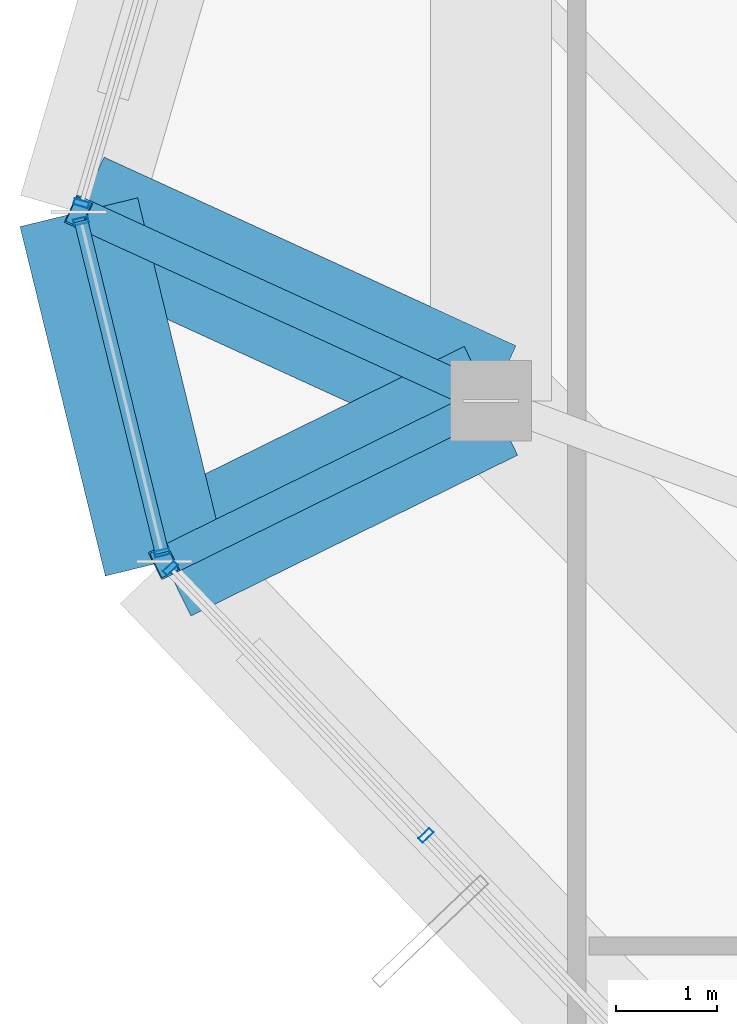
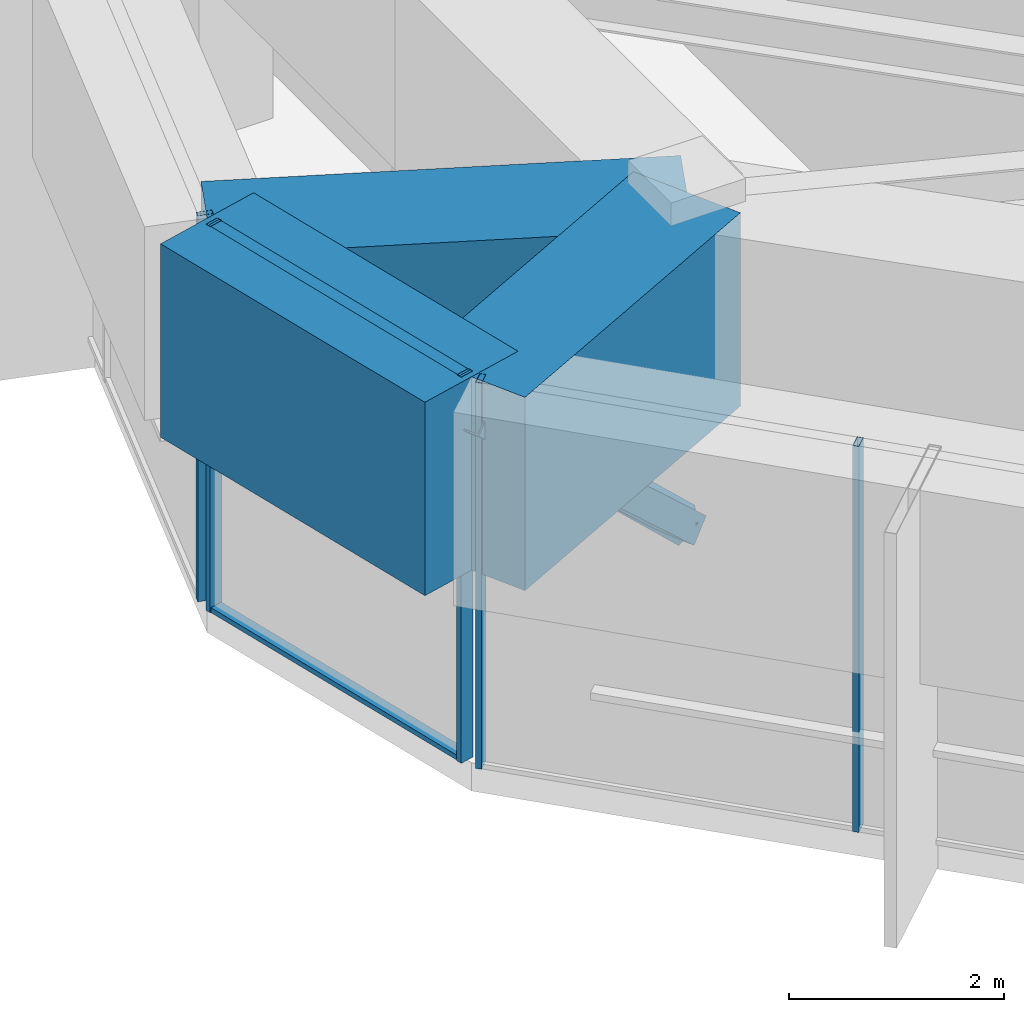
# One storey, part 6 of 39: 9 members, 3 beams, 3 elements without a shape of their own.
"""IFC4 building model written with IfcOpenShell, lengths in metres."""

from ifc_helpers import new_model, si_unit, direction, frame, origin, origin_2d, place, context, subcontext, project, spatial, rectangle, hollow_rectangle, extrude, source, transform, mapped, material, layer, layer_set, material_profile, profile_set, type_object, element, aggregate, save


model = new_model("IFC4")

# Units and contexts
model_context = context("Model", 3, precision=1e-05, world=origin(), true_north=direction((0.0, 1.0)))
body_context = subcontext(model_context, "Body", "Model", "MODEL_VIEW")
ifc_project = project(units=[si_unit("LENGTHUNIT", "METRE"), si_unit("AREAUNIT", "SQUARE_METRE"), si_unit("VOLUMEUNIT", "CUBIC_METRE"), si_unit("PLANEANGLEUNIT", "RADIAN"), si_unit("MASSUNIT", "GRAM", prefix="KILO")], contexts=[model_context])

# Site, building, storey
site_placement = place(None, origin())
site = spatial("IfcSite", under=ifc_project, at=site_placement, CompositionType="ELEMENT")
building_placement = place(site_placement, origin())
building = spatial("IfcBuilding", under=site, at=building_placement, Name="Veraguas Prism Commons", CompositionType="ELEMENT")
storey_placement = place(building_placement, frame((0.0, 0.0, 264.25)))
storey = spatial("IfcBuildingStorey", under=building, at=storey_placement, Name="L75", CompositionType="ELEMENT", Elevation=264.25)

# Beams
ifc_material_1 = material(Name="Concrete C50/60", Category="concrete")
ifc_material_profile_1 = material_profile(ifc_material_1, rectangle(XDim=1.199951171875, YDim=2.199951171875, at=origin_2d()), Name="RC1200X2200")
ifc_profile_set_1 = profile_set([ifc_material_profile_1], Name="Concrete C50/60")
beam_type = type_object("IfcBeamType", Name="Podium Transfer Girder RC 1200x2200", PredefinedType="BEAM", material=ifc_profile_set_1)
beam_1_placement = place(storey_placement, frame((10.199951171875, 19.60009765625, 3.2900390625), z_axis=(-0.909290456172, 0.416162067367, 0.0), x_axis=(-0.416162067367, -0.909290456172, 0.0)))
element("IfcBeam", 1, at=beam_1_placement, inside=storey, type_object=beam_type, Name="Crown Rib Support Girder L75-07", PredefinedType="BEAM", context=body_context, shape_type="SweptSolid", body=[
    extrude(rectangle(XDim=1.199951171875, YDim=2.199951171875, at=origin_2d()), origin(), (0.0, 0.0, 1.0), 4.488525390625),
])
beam_2_placement = place(storey_placement, frame((6.11865234375, 21.468017578125, 3.2900390625), z_axis=(0.237178614027, -0.971466059648, 0.0), x_axis=(0.971466059648, 0.237178614027, 0.0)))
element("IfcBeam", 2, at=beam_2_placement, inside=storey, type_object=beam_type, Name="Crown Base Ring Beam L75-07", PredefinedType="BEAM", context=body_context, shape_type="SweptSolid", body=[
    extrude(rectangle(XDim=1.199951171875, YDim=2.199951171875, at=origin_2d()), origin(), (0.0, 0.0, 1.0), 3.5625),
])
beam_3_placement = place(storey_placement, frame((10.199951171875, 19.60009765625, 3.2900390625), z_axis=(-0.897198319765, -0.441627869377, 0.0), x_axis=(0.441627869377, -0.897198319765, 0.0)))
element("IfcBeam", 3, at=beam_3_placement, inside=storey, type_object=beam_type, Name="Crown Rib Support Girder L75-08", PredefinedType="BEAM", context=body_context, shape_type="SweptSolid", body=[
    extrude(rectangle(XDim=1.199951171875, YDim=2.199951171875, at=origin_2d()), origin(), (0.0, 0.0, 1.0), 3.607177734375),
])

# Members
ifc_material_2 = material(Name="Steel ASTM A500 Grade C", Category="steel")
ifc_material_profile_2 = material_profile(ifc_material_2, hollow_rectangle(XDim=0.300048828125, YDim=0.300048828125, WallThickness=0.01611328125, at=origin_2d()), Name="HSS300X300X16")
ifc_profile_set_2 = profile_set([ifc_material_profile_2], Name="Steel ASTM A500 Grade C")
member_type_1 = type_object("IfcMemberType", Name="Sky Pool Bracket Strut HSS 300x300x16", PredefinedType="STRUT", material=ifc_profile_set_2)
member_1_placement = place(storey_placement, frame((10.199951171875, 19.60009765625, 0.60009765625), z_axis=(-0.729493622757, 0.333873045864, 0.59696552966), x_axis=(-0.416162067367, -0.909290456172, 0.0)))
element("IfcMember", 4, at=member_1_placement, inside=storey, type_object=member_type_1, Name="Crown Base Raker Strut L75-07", PredefinedType="STRUT", context=body_context, shape_type="SweptSolid", body=[
    extrude(hollow_rectangle(XDim=0.300048828125, YDim=0.300048828125, WallThickness=0.01611328125, at=origin_2d()), origin(), (0.0, 0.0, 1.0), 5.5947265625),
])
member_2_placement = place(storey_placement, frame((10.199951171875, 19.60009765625, 0.60009765625), z_axis=(-0.658338773336, -0.324054050695, 0.679396078699), x_axis=(0.441627869377, -0.897198319765, 0.0)))
element("IfcMember", 5, at=member_2_placement, inside=storey, type_object=member_type_1, Name="Crown Base Raker Strut L75-08", PredefinedType="STRUT", context=body_context, shape_type="SweptSolid", body=[
    extrude(hollow_rectangle(XDim=0.300048828125, YDim=0.300048828125, WallThickness=0.01611328125, at=origin_2d()), origin(), (0.0, 0.0, 1.0), 4.916015625),
])

# Curtain wall, members
ifc_material_3 = material(Name="Anodised aluminium EN AW-6063 T6", Category="aluminium")
ifc_layer = layer(ifc_material_3, 0.14990234375, Name="Unitised Flush Curtain Wall Zone 4", Category="aluminium")
ifc_layer_set = layer_set([ifc_layer], Name="Anodised aluminium EN AW-6063 T6")
curtain_wall_type = type_object("IfcCurtainWallType", Name="Unitised Flush Curtain Wall Zone 4", PredefinedType="NOTDEFINED", material=ifc_layer_set)
curtain_wall_1_placement = place(storey_placement, origin())
curtain_wall_1 = element("IfcCurtainWall", 6, at=curtain_wall_1_placement, inside=storey, type_object=curtain_wall_type, Name="Chamfer Curtain Wall L75-C4", PredefinedType="NOTDEFINED")
ifc_material_profile_3 = material_profile(ifc_material_3, hollow_rectangle(XDim=0.054931640625, YDim=0.135009765625, WallThickness=0.0029296875, at=origin_2d()), Name="AL55X135X3")
ifc_profile_set_3 = profile_set([ifc_material_profile_3], Name="Anodised aluminium EN AW-6063 T6")
member_type_2 = type_object("IfcMemberType", Name="Curtain Wall Transom Standard AL 55x135x3", PredefinedType="USERDEFINED", material=ifc_profile_set_3)
shared_shape_1 = source(origin(), body_context, "Body", "SweptSolid", [
    extrude(hollow_rectangle(XDim=0.054931640625, YDim=0.135009765625, WallThickness=0.0029296875, at=origin_2d()), origin(), (0.0, 0.0, 1.0), 3.382568359375),
])
member_3_placement = place(storey_placement, frame((6.14013671875, 21.380615234375, 0.027587890625), z_axis=(0.237165525421, -0.971469255073, 0.0), x_axis=(0.0, 0.0, 1.0)))
member_3 = element("IfcMember", 7, at=member_3_placement, type_object=member_type_2, Name="CW-Z4 Transom 1", ObjectType="TRANSOM", PredefinedType="USERDEFINED", context=body_context, shape_type="MappedRepresentation", body=[
    mapped(shared_shape_1, transform((0.0, 0.0, 0.0), scale=1.0)),
])
member_4_placement = place(storey_placement, frame((6.14013671875, 21.380615234375, 4.362548828125), z_axis=(0.237165525421, -0.971469255073, 0.0), x_axis=(0.0, 0.0, 1.0)))
member_4 = element("IfcMember", 8, at=member_4_placement, type_object=member_type_2, Name="CW-Z4 Transom 2", ObjectType="TRANSOM", PredefinedType="USERDEFINED", context=body_context, shape_type="MappedRepresentation", body=[
    mapped(shared_shape_1, transform((0.0, 0.0, 0.0), scale=1.0)),
])

# Curtain wall, member
curtain_wall_2_placement = place(storey_placement, origin())
curtain_wall_2 = element("IfcCurtainWall", 9, at=curtain_wall_2_placement, inside=storey, type_object=curtain_wall_type, Name="Tower Facade Curtain Wall L75-F3", PredefinedType="NOTDEFINED")
ifc_material_profile_4 = material_profile(ifc_material_3, hollow_rectangle(XDim=0.06005859375, YDim=0.14990234375, WallThickness=0.0029296875, at=origin_2d()), Name="AL60X150X3")
ifc_profile_set_4 = profile_set([ifc_material_profile_4], Name="Anodised aluminium EN AW-6063 T6")
member_type_3 = type_object("IfcMemberType", Name="Curtain Wall Mullion Upper AL 60x150x3", PredefinedType="MULLION", material=ifc_profile_set_4)
shared_shape_2 = source(origin(), body_context, "Body", "SweptSolid", [
    extrude(hollow_rectangle(XDim=0.06005859375, YDim=0.14990234375, WallThickness=0.0029296875, at=origin_2d()), origin(), (0.0, 0.0, 1.0), 4.389892578125),
])
member_5_placement = place(storey_placement, frame((6.143798828125, 21.554443359375, 0.0), z_axis=(0.0, 0.0, 1.0), x_axis=(-0.28033835796, -0.959901247554, 0.0)))
member_5 = element("IfcMember", 10, at=member_5_placement, type_object=member_type_3, Name="CW-Z4 Mullion 5", PredefinedType="MULLION", context=body_context, shape_type="MappedRepresentation", body=[
    mapped(shared_shape_2, transform((0.0, 0.0, 0.0), scale=1.0)),
])
aggregate(curtain_wall_2, [member_5])

# Curtain wall, members
curtain_wall_3_placement = place(storey_placement, origin())
curtain_wall_3 = element("IfcCurtainWall", 11, at=curtain_wall_3_placement, inside=storey, type_object=curtain_wall_type, Name="Tower Facade Curtain Wall L75-F4", PredefinedType="NOTDEFINED")
member_6_placement = place(storey_placement, frame((7.02587890625, 17.942138671875, 0.0), z_axis=(0.0, 0.0, 1.0), x_axis=(0.691134732122, -0.722725938412, 0.0)))
member_6 = element("IfcMember", 12, at=member_6_placement, type_object=member_type_3, Name="CW-Z4 Mullion 1", PredefinedType="MULLION", context=body_context, shape_type="MappedRepresentation", body=[
    mapped(shared_shape_2, transform((0.0, 0.0, 0.0), scale=1.0)),
])
member_7_placement = place(storey_placement, frame((9.556640625, 15.295654296875, 0.0), z_axis=(0.0, 0.0, 1.0), x_axis=(0.691134732122, -0.722725938412, 0.0)))
member_7 = element("IfcMember", 13, at=member_7_placement, type_object=member_type_3, Name="CW-Z4 Mullion 2", PredefinedType="MULLION", context=body_context, shape_type="MappedRepresentation", body=[
    mapped(shared_shape_2, transform((0.0, 0.0, 0.0), scale=1.0)),
])
aggregate(curtain_wall_3, [member_6, member_7])

# Member
member_8_placement = place(storey_placement, frame((6.14013671875, 21.380615234375, 0.0), z_axis=(0.0, 0.0, 1.0), x_axis=(0.237207785649, -0.971458937077, 0.0)))
member_8 = element("IfcMember", 14, at=member_8_placement, type_object=member_type_3, Name="CW-Z4 Mullion 1", PredefinedType="MULLION", context=body_context, shape_type="MappedRepresentation", body=[
    mapped(shared_shape_2, transform((0.0, 0.0, 0.0), scale=1.0)),
])

member_9_placement = place(storey_placement, frame((6.9423828125, 18.094482421875, 0.0), z_axis=(0.0, 0.0, 1.0), x_axis=(0.237207785649, -0.971458937077, 0.0)))
member_9 = element("IfcMember", 15, at=member_9_placement, type_object=member_type_3, Name="CW-Z4 Mullion 2", PredefinedType="MULLION", context=body_context, shape_type="MappedRepresentation", body=[
    mapped(shared_shape_2, transform((0.0, 0.0, 0.0), scale=1.0)),
])

aggregate(curtain_wall_1, [member_8, member_9, member_3, member_4])

save(model, "model.ifc")
